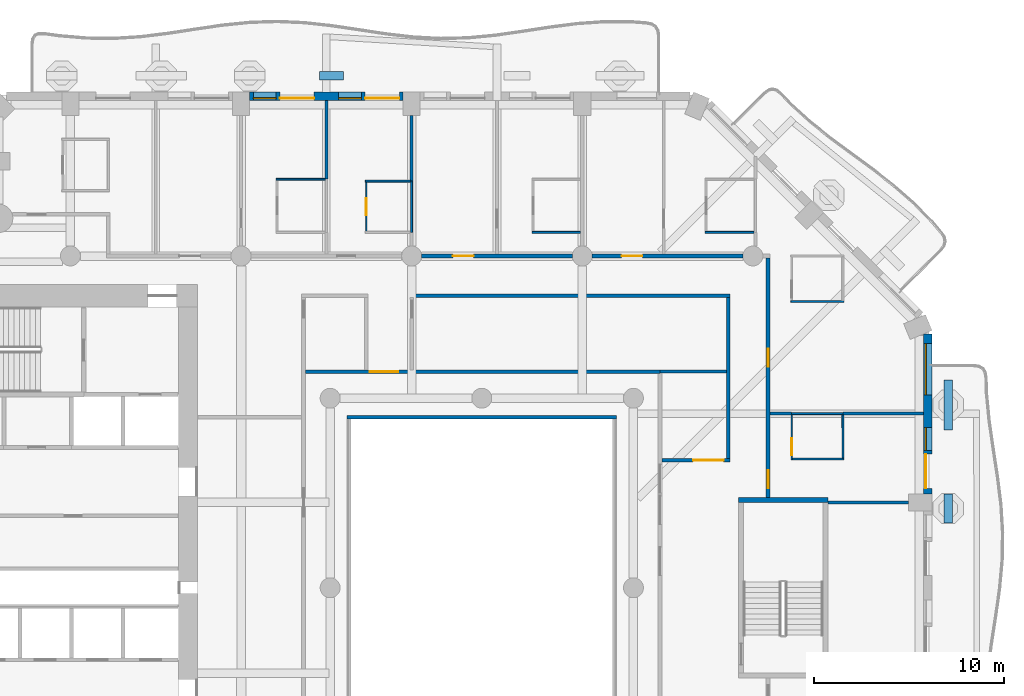
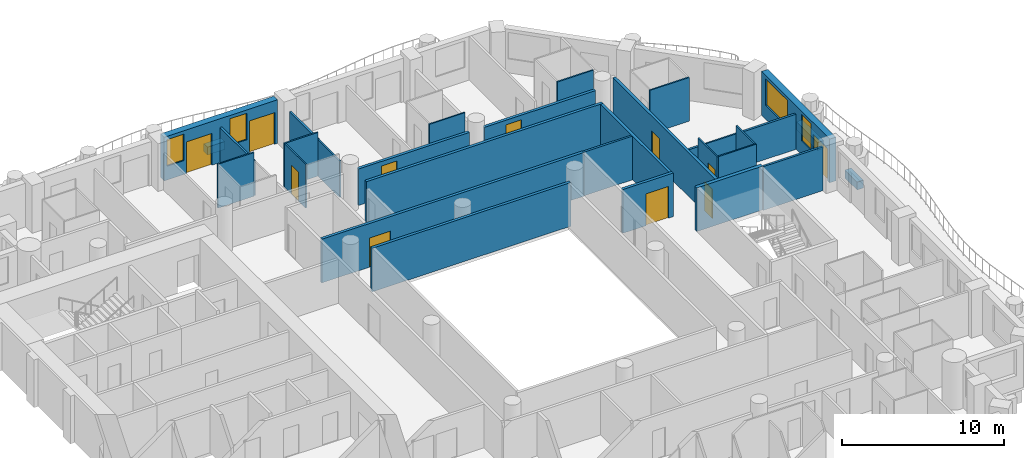
# One storey, part 9 of 20: 31 walls, 11 doors, 4 windows, 15 openings.
"""IFC4 building model written with IfcOpenShell, lengths in metres."""

from ifc_helpers import new_model, si_unit, direction, frame, frame_2d, origin, place, context, subcontext, project, spatial, rectangle, extrude, material, layer, layer_set, type_object, element, fill, save


model = new_model("IFC4")

# Units and contexts
model_context = context("Model", 3, precision=1e-05, world=origin(), true_north=direction((0.0, 1.0)))
body_context = subcontext(model_context, "Body", "Model", "MODEL_VIEW")
ifc_project = project(units=[si_unit("LENGTHUNIT", "METRE"), si_unit("AREAUNIT", "SQUARE_METRE"), si_unit("VOLUMEUNIT", "CUBIC_METRE"), si_unit("PLANEANGLEUNIT", "RADIAN"), si_unit("MASSUNIT", "GRAM", prefix="KILO")], contexts=[model_context])

# Site, building, storey
site_placement = place(None, origin())
site = spatial("IfcSite", under=ifc_project, at=site_placement, CompositionType="ELEMENT")
building_placement = place(site_placement, origin())
building = spatial("IfcBuilding", under=site, at=building_placement, Name="Cypress Arch Tower", CompositionType="ELEMENT")
storey_placement = place(building_placement, frame((0.0, 0.0, 116.699951171875)))
storey = spatial("IfcBuildingStorey", under=building, at=storey_placement, Name="L24", CompositionType="ELEMENT", Elevation=116.699951171875)

# Walls
ifc_material_1 = material(Name="Concrete C40/50, waterproofed", Category="concrete")
ifc_layer_1 = layer(ifc_material_1, 0.449951171875)
ifc_layer_set_1 = layer_set([ifc_layer_1], Name="Balcony planter wall PW450")
wall_type_1 = type_object("IfcWallType", Name="Balcony planter wall PW450", PredefinedType="SOLIDWALL", material=ifc_layer_set_1)
wall_1_placement = place(storey_placement, frame((25.60009765625, 3.42138671875, 0.0), z_axis=(0.0, 0.0, 1.0), x_axis=(0.0, 1.0, 0.0)))
element("IfcWall", 1, at=wall_1_placement, inside=storey, type_object=wall_type_1, Name="Balcony planter wall L24-A06.3", PredefinedType="SOLIDWALL", context=body_context, shape_type="SweptSolid", body=[
    extrude(rectangle(XDim=1.5224609375, YDim=0.449951171875, at=frame_2d((0.76123046875, 0.0))), origin(), (0.0, 0.0, 1.0), 0.60009765625),
])
wall_2_placement = place(storey_placement, frame((25.60009765625, 8.335693359375, 0.0), z_axis=(0.0, 0.0, 1.0), x_axis=(0.0, 1.0, 0.0)))
element("IfcWall", 2, at=wall_2_placement, inside=storey, type_object=wall_type_1, Name="Balcony planter wall L24-A06.4", PredefinedType="SOLIDWALL", context=body_context, shape_type="SweptSolid", body=[
    extrude(rectangle(XDim=2.6142578125, YDim=0.449951171875, at=frame_2d((1.30712890625, 0.0))), origin(), (0.0, 0.0, 1.0), 0.60009765625),
])
wall_3_placement = place(storey_placement, frame((-6.300048828125, 27.0, 0.0), z_axis=(0.0, 0.0, 1.0), x_axis=(-1.0, 0.0, 0.0)))
element("IfcWall", 3, at=wall_3_placement, inside=storey, type_object=wall_type_1, Name="Balcony planter wall L24-A08.3", PredefinedType="SOLIDWALL", context=body_context, shape_type="SweptSolid", body=[
    extrude(rectangle(XDim=1.25, YDim=0.449951171875, at=frame_2d((0.625, 0.0))), origin(), (0.0, 0.0, 1.0), 0.60009765625),
])

# Wall, openings, door, windows
ifc_material_2 = material(Name="Brick (red buff blend)", Category="masonry")
ifc_layer_2 = layer(ifc_material_2, 0.449951171875)
ifc_layer_set_2 = layer_set([ifc_layer_2], Name="Brick pier and spandrel wall BW450")
wall_type_2 = type_object("IfcWallType", Name="Brick pier and spandrel wall BW450", PredefinedType="SOLIDWALL", material=ifc_layer_set_2)
wall_4_placement = place(storey_placement, frame((24.52490234375, 4.949951171875, 0.0), z_axis=(0.0, 0.0, 1.0), x_axis=(0.0, 1.0, 0.0)))
wall_4 = element("IfcWall", 4, at=wall_4_placement, inside=storey, type_object=wall_type_2, Name="Brick wall L24 A06.3", PredefinedType="SOLIDWALL", context=body_context, shape_type="SweptSolid", body=[
    extrude(rectangle(XDim=8.438720703125, YDim=0.449951171875, at=frame_2d((4.21923828125, 0.0))), origin(), (0.0, 0.0, 1.0), 3.300048828125),
])
opening_1_placement = place(wall_4_placement, frame((0.2939453125, 0.0, 0.0)))
opening_1 = element("IfcOpeningElement", 5, at=opening_1_placement, cuts=wall_4, Name="Opening D-L24-A06.3.1", PredefinedType="OPENING", context=body_context, shape_type="SweptSolid", body=[
    extrude(rectangle(XDim=1.800048828125, YDim=2.39990234375, at=frame_2d((0.89990234375, 1.199951171875))), frame((0.0, 0.23486328125, 0.0), z_axis=(0.0, -1.0, 0.0), x_axis=(1.0, 0.0, 0.0)), (0.0, 0.0, 1.0), 0.469970703125),
])
opening_2_placement = place(wall_4_placement, frame((2.2939453125, 0.0, 1.050048828125)))
opening_2 = element("IfcOpeningElement", 6, at=opening_2_placement, cuts=wall_4, Name="Opening W120HD", PredefinedType="OPENING", context=body_context, shape_type="SweptSolid", body=[
    extrude(rectangle(XDim=1.199951171875, YDim=2.0, at=frame_2d((0.60009765625, 1.0))), frame((0.0, 0.23486328125, 0.0), z_axis=(0.0, -1.0, 0.0), x_axis=(1.0, 0.0, 0.0)), (0.0, 0.0, 1.0), 0.469970703125),
])
opening_3_placement = place(wall_4_placement, frame((5.231689453125, 0.0, 1.050048828125)))
opening_3 = element("IfcOpeningElement", 7, at=opening_3_placement, cuts=wall_4, Name="Opening W270HD", PredefinedType="OPENING", context=body_context, shape_type="SweptSolid", body=[
    extrude(rectangle(XDim=2.699951171875, YDim=2.0, at=frame_2d((1.35009765625, 1.0))), frame((0.0, 0.23486328125, 0.0), z_axis=(0.0, -1.0, 0.0), x_axis=(1.0, 0.0, 0.0)), (0.0, 0.0, 1.0), 0.469970703125),
])
ifc_material_3 = material(Name="Anodised aluminium, bronze finish, laminated low-emissivity double glazing, large-missile impact rated", Category="aluminium")
door_type_1 = type_object("IfcDoorType", Name="Balcony sliding door 1800x2400", OperationType="SLIDING_TO_LEFT", PredefinedType="DOOR", material=ifc_material_3)
door_1_placement = place(opening_1_placement, origin())
door_1 = element("IfcDoor", 8, at=door_1_placement, inside=storey, type_object=door_type_1, Name="Balcony door L24 A06.3.1", OperationType="SLIDING_TO_LEFT", OverallHeight=2.39990234375, OverallWidth=1.800048828125, PredefinedType="DOOR", context=body_context, shape_type="SweptSolid", body=[
    extrude(rectangle(XDim=1.800048828125, YDim=2.39990234375, at=frame_2d((0.89990234375, 1.199951171875))), frame((0.0, 0.1298828125, 0.0), z_axis=(0.0, -1.0, 0.0), x_axis=(1.0, 0.0, 0.0)), (0.0, 0.0, 1.0), 0.050048828125),
])
fill(opening_1, door_1)
ifc_material_4 = material(Name="Anodised aluminium, bronze finish, laminated low-emissivity double glazing, large-missile impact rated", Category="aluminium")
window_type_1 = type_object("IfcWindowType", Name="Window Hotel 1200x2000 debris-rated", PartitioningType="SINGLE_PANEL", PredefinedType="WINDOW", material=ifc_material_4)
window_1_placement = place(opening_2_placement, origin())
window_1 = element("IfcWindow", 9, at=window_1_placement, inside=storey, type_object=window_type_1, Name="Window L24 A06.3.1", OverallHeight=2.0, OverallWidth=1.199951171875, PartitioningType="SINGLE_PANEL", PredefinedType="WINDOW", context=body_context, shape_type="SweptSolid", body=[
    extrude(rectangle(XDim=1.199951171875, YDim=2.0, at=frame_2d((0.60009765625, 1.0))), frame((0.0, 0.135009765625, 0.0), z_axis=(0.0, -1.0, 0.0), x_axis=(1.0, 0.0, 0.0)), (0.0, 0.0, 1.0), 0.06005859375),
])
fill(opening_2, window_1)
ifc_material_5 = material(Name="Anodised aluminium, bronze finish, laminated low-emissivity double glazing, large-missile impact rated", Category="aluminium")
window_type_2 = type_object("IfcWindowType", Name="Window Hotel 2700x2000 debris-rated", PartitioningType="SINGLE_PANEL", PredefinedType="WINDOW", material=ifc_material_5)
window_2_placement = place(opening_3_placement, origin())
window_2 = element("IfcWindow", 10, at=window_2_placement, inside=storey, type_object=window_type_2, Name="Window L24 A06.3.2", OverallHeight=2.0, OverallWidth=2.699951171875, PartitioningType="SINGLE_PANEL", PredefinedType="WINDOW", context=body_context, shape_type="SweptSolid", body=[
    extrude(rectangle(XDim=2.699951171875, YDim=2.0, at=frame_2d((1.35009765625, 1.0))), frame((0.0, 0.135009765625, 0.0), z_axis=(0.0, -1.0, 0.0), x_axis=(1.0, 0.0, 0.0)), (0.0, 0.0, 1.0), 0.06005859375),
])
fill(opening_3, window_2)

# Wall, openings, doors, windows
wall_5_placement = place(storey_placement, frame((-3.14990234375, 25.925048828125, 0.0), z_axis=(0.0, 0.0, 1.0), x_axis=(-1.0, 0.0, 0.0)))
wall_5 = element("IfcWall", 11, at=wall_5_placement, inside=storey, type_object=wall_type_2, Name="Brick wall L24 A08.2", PredefinedType="SOLIDWALL", context=body_context, shape_type="SweptSolid", body=[
    extrude(rectangle(XDim=8.10009765625, YDim=0.449951171875, at=frame_2d((4.050048828125, 0.0))), origin(), (0.0, 0.0, 1.0), 3.300048828125),
])
opening_4_placement = place(wall_5_placement, frame((0.199951171875, 0.0, 0.0)))
opening_4 = element("IfcOpeningElement", 12, at=opening_4_placement, cuts=wall_5, Name="Opening D-L24-A08.2.1", PredefinedType="OPENING", context=body_context, shape_type="SweptSolid", body=[
    extrude(rectangle(XDim=1.800048828125, YDim=2.39990234375, at=frame_2d((0.89990234375, 1.199951171875))), frame((0.0, 0.23486328125, 0.0), z_axis=(0.0, -1.0, 0.0), x_axis=(1.0, 0.0, 0.0)), (0.0, 0.0, 1.0), 0.469970703125),
])
opening_5_placement = place(wall_5_placement, frame((2.199951171875, 0.0, 1.050048828125)))
opening_5 = element("IfcOpeningElement", 13, at=opening_5_placement, cuts=wall_5, Name="Opening W120HD", PredefinedType="OPENING", context=body_context, shape_type="SweptSolid", body=[
    extrude(rectangle(XDim=1.199951171875, YDim=2.0, at=frame_2d((0.60009765625, 1.0))), frame((0.0, 0.23486328125, 0.0), z_axis=(0.0, -1.0, 0.0), x_axis=(1.0, 0.0, 0.0)), (0.0, 0.0, 1.0), 0.469970703125),
])
opening_6_placement = place(wall_5_placement, frame((4.699951171875, 0.0, 0.0)))
opening_6 = element("IfcOpeningElement", 14, at=opening_6_placement, cuts=wall_5, Name="Opening D-L24-A08.2.2", PredefinedType="OPENING", context=body_context, shape_type="SweptSolid", body=[
    extrude(rectangle(XDim=1.800048828125, YDim=2.39990234375, at=frame_2d((0.89990234375, 1.199951171875))), frame((0.0, 0.23486328125, 0.0), z_axis=(0.0, -1.0, 0.0), x_axis=(1.0, 0.0, 0.0)), (0.0, 0.0, 1.0), 0.469970703125),
])
opening_7_placement = place(wall_5_placement, frame((6.699951171875, 0.0, 1.050048828125)))
opening_7 = element("IfcOpeningElement", 15, at=opening_7_placement, cuts=wall_5, Name="Opening W120HD", PredefinedType="OPENING", context=body_context, shape_type="SweptSolid", body=[
    extrude(rectangle(XDim=1.199951171875, YDim=2.0, at=frame_2d((0.60009765625, 1.0))), frame((0.0, 0.23486328125, 0.0), z_axis=(0.0, -1.0, 0.0), x_axis=(1.0, 0.0, 0.0)), (0.0, 0.0, 1.0), 0.469970703125),
])
door_2_placement = place(opening_4_placement, origin())
door_2 = element("IfcDoor", 16, at=door_2_placement, inside=storey, type_object=door_type_1, Name="Balcony door L24 A08.2.1", OperationType="SLIDING_TO_LEFT", OverallHeight=2.39990234375, OverallWidth=1.800048828125, PredefinedType="DOOR", context=body_context, shape_type="SweptSolid", body=[
    extrude(rectangle(XDim=1.800048828125, YDim=2.39990234375, at=frame_2d((0.89990234375, 1.199951171875))), frame((0.0, 0.1298828125, 0.0), z_axis=(0.0, -1.0, 0.0), x_axis=(1.0, 0.0, 0.0)), (0.0, 0.0, 1.0), 0.050048828125),
])
fill(opening_4, door_2)
door_3_placement = place(opening_6_placement, origin())
door_3 = element("IfcDoor", 17, at=door_3_placement, inside=storey, type_object=door_type_1, Name="Balcony door L24 A08.2.2", OperationType="SLIDING_TO_LEFT", OverallHeight=2.39990234375, OverallWidth=1.800048828125, PredefinedType="DOOR", context=body_context, shape_type="SweptSolid", body=[
    extrude(rectangle(XDim=1.800048828125, YDim=2.39990234375, at=frame_2d((0.89990234375, 1.199951171875))), frame((0.0, 0.1298828125, 0.0), z_axis=(0.0, -1.0, 0.0), x_axis=(1.0, 0.0, 0.0)), (0.0, 0.0, 1.0), 0.050048828125),
])
fill(opening_6, door_3)
window_3_placement = place(opening_5_placement, origin())
window_3 = element("IfcWindow", 18, at=window_3_placement, inside=storey, type_object=window_type_1, Name="Window L24 A08.2.1", OverallHeight=2.0, OverallWidth=1.199951171875, PartitioningType="SINGLE_PANEL", PredefinedType="WINDOW", context=body_context, shape_type="SweptSolid", body=[
    extrude(rectangle(XDim=1.199951171875, YDim=2.0, at=frame_2d((0.60009765625, 1.0))), frame((0.0, 0.135009765625, 0.0), z_axis=(0.0, -1.0, 0.0), x_axis=(1.0, 0.0, 0.0)), (0.0, 0.0, 1.0), 0.06005859375),
])
fill(opening_5, window_3)
window_4_placement = place(opening_7_placement, origin())
window_4 = element("IfcWindow", 19, at=window_4_placement, inside=storey, type_object=window_type_1, Name="Window L24 A08.2.2", OverallHeight=2.0, OverallWidth=1.199951171875, PartitioningType="SINGLE_PANEL", PredefinedType="WINDOW", context=body_context, shape_type="SweptSolid", body=[
    extrude(rectangle(XDim=1.199951171875, YDim=2.0, at=frame_2d((0.60009765625, 1.0))), frame((0.0, 0.135009765625, 0.0), z_axis=(0.0, -1.0, 0.0), x_axis=(1.0, 0.0, 0.0)), (0.0, 0.0, 1.0), 0.06005859375),
])
fill(opening_7, window_4)

# Wall, opening, door
ifc_material_6 = material(Name="Concrete blockwork, plastered, rated", Category="masonry")
ifc_layer_3 = layer(ifc_material_6, 0.199951171875)
ifc_layer_set_3 = layer_set([ifc_layer_3], Name="Corridor wall FW200")
wall_type_3 = type_object("IfcWallType", Name="Corridor wall FW200", PredefinedType="PARTITIONING", material=ifc_layer_set_3)
wall_6_placement = place(storey_placement, frame((-2.175048828125, 17.5, 0.0), z_axis=(0.0, 0.0, 1.0), x_axis=(1.0, 0.0, 0.0)))
wall_6 = element("IfcWall", 20, at=wall_6_placement, inside=storey, type_object=wall_type_3, Name="Corridor wall", PredefinedType="PARTITIONING", context=body_context, shape_type="SweptSolid", body=[
    extrude(rectangle(XDim=7.949951171875, YDim=0.199951171875, at=frame_2d((3.97509765625, 0.0))), origin(), (0.0, 0.0, 1.0), 2.75),
])
opening_8_placement = place(wall_6_placement, frame((1.64990234375, 0.0, 0.0)))
opening_8 = element("IfcOpeningElement", 21, at=opening_8_placement, cuts=wall_6, Name="Opening D01", PredefinedType="OPENING", context=body_context, shape_type="SweptSolid", body=[
    extrude(rectangle(XDim=1.10009765625, YDim=2.39990234375, at=frame_2d((0.550048828125, 1.199951171875))), frame((0.0, 0.10986328125, 0.0), z_axis=(0.0, -1.0, 0.0), x_axis=(1.0, 0.0, 0.0)), (0.0, 0.0, 1.0), 0.219970703125),
])
ifc_material_7 = material(Name="Timber flush door, fire resisting, self-closing", Category="wood")
door_type_2 = type_object("IfcDoorType", Name="Unit entrance door D01 1100x2400", OperationType="SINGLE_SWING_LEFT", PredefinedType="DOOR", material=ifc_material_7)
door_4_placement = place(opening_8_placement, origin())
door_4 = element("IfcDoor", 22, at=door_4_placement, inside=storey, type_object=door_type_2, Name="Unit entrance door", OperationType="SINGLE_SWING_RIGHT", OverallHeight=2.39990234375, OverallWidth=1.10009765625, PredefinedType="DOOR", context=body_context, shape_type="SweptSolid", body=[
    extrude(rectangle(XDim=1.10009765625, YDim=2.39990234375, at=frame_2d((0.550048828125, 1.199951171875))), frame((0.0, 0.02490234375, 0.0), z_axis=(0.0, -1.0, 0.0), x_axis=(1.0, 0.0, 0.0)), (0.0, 0.0, 1.0), 0.050048828125),
])
fill(opening_8, door_4)

wall_7_placement = place(storey_placement, frame((6.824951171875, 17.5, 0.0), z_axis=(0.0, 0.0, 1.0), x_axis=(1.0, 0.0, 0.0)))
wall_7 = element("IfcWall", 23, at=wall_7_placement, inside=storey, type_object=wall_type_3, Name="Corridor wall", PredefinedType="PARTITIONING", context=body_context, shape_type="SweptSolid", body=[
    extrude(rectangle(XDim=7.949951171875, YDim=0.199951171875, at=frame_2d((3.97509765625, 0.0))), origin(), (0.0, 0.0, 1.0), 2.75),
])
opening_9_placement = place(wall_7_placement, frame((1.550048828125, 0.0, 0.0)))
opening_9 = element("IfcOpeningElement", 24, at=opening_9_placement, cuts=wall_7, Name="Opening D01", PredefinedType="OPENING", context=body_context, shape_type="SweptSolid", body=[
    extrude(rectangle(XDim=1.10009765625, YDim=2.39990234375, at=frame_2d((0.550048828125, 1.199951171875))), frame((0.0, 0.10986328125, 0.0), z_axis=(0.0, -1.0, 0.0), x_axis=(1.0, 0.0, 0.0)), (0.0, 0.0, 1.0), 0.219970703125),
])
door_5_placement = place(opening_9_placement, origin())
door_5 = element("IfcDoor", 25, at=door_5_placement, inside=storey, type_object=door_type_2, Name="Unit entrance door", OperationType="SINGLE_SWING_RIGHT", OverallHeight=2.39990234375, OverallWidth=1.10009765625, PredefinedType="DOOR", context=body_context, shape_type="SweptSolid", body=[
    extrude(rectangle(XDim=1.10009765625, YDim=2.39990234375, at=frame_2d((0.550048828125, 1.199951171875))), frame((0.0, 0.02490234375, 0.0), z_axis=(0.0, -1.0, 0.0), x_axis=(1.0, 0.0, 0.0)), (0.0, 0.0, 1.0), 0.050048828125),
])
fill(opening_9, door_5)

wall_8_placement = place(storey_placement, frame((-8.300048828125, 11.39990234375, 0.0), z_axis=(0.0, 0.0, 1.0), x_axis=(1.0, 0.0, 0.0)))
wall_8 = element("IfcWall", 26, at=wall_8_placement, inside=storey, type_object=wall_type_3, Name="Corridor wall", PredefinedType="PARTITIONING", context=body_context, shape_type="SweptSolid", body=[
    extrude(rectangle(XDim=18.699951171875, YDim=0.199951171875, at=frame_2d((9.35009765625, 0.0))), origin(), (0.0, 0.0, 1.0), 3.300048828125),
])
opening_10_placement = place(wall_8_placement, frame((3.39990234375, 0.0, 0.0)))
opening_10 = element("IfcOpeningElement", 27, at=opening_10_placement, cuts=wall_8, Name="Opening D04", PredefinedType="OPENING", context=body_context, shape_type="SweptSolid", body=[
    extrude(rectangle(XDim=1.5, YDim=2.199951171875, at=frame_2d((0.75, 1.10009765625))), frame((0.0, 0.10986328125, 0.0), z_axis=(0.0, -1.0, 0.0), x_axis=(1.0, 0.0, 0.0)), (0.0, 0.0, 1.0), 0.219970703125),
])
ifc_material_8 = material(Name="Timber double door", Category="wood")
door_type_3 = type_object("IfcDoorType", Name="Double door D04 1500x2200", OperationType="DOUBLE_DOOR_SINGLE_SWING", PredefinedType="DOOR", material=ifc_material_8)
door_6_placement = place(opening_10_placement, origin())
door_6 = element("IfcDoor", 28, at=door_6_placement, inside=storey, type_object=door_type_3, Name="Double door", OperationType="DOUBLE_DOOR_SINGLE_SWING", OverallHeight=2.199951171875, OverallWidth=1.5, PredefinedType="DOOR", context=body_context, shape_type="SweptSolid", body=[
    extrude(rectangle(XDim=1.5, YDim=2.199951171875, at=frame_2d((0.75, 1.10009765625))), frame((0.0, 0.02490234375, 0.0), z_axis=(0.0, -1.0, 0.0), x_axis=(1.0, 0.0, 0.0)), (0.0, 0.0, 1.0), 0.050048828125),
])
fill(opening_10, door_6)

# Walls
wall_9_placement = place(storey_placement, frame((-6.10009765625, 9.0, 0.0), z_axis=(0.0, 0.0, 1.0), x_axis=(1.0, 0.0, 0.0)))
element("IfcWall", 29, at=wall_9_placement, inside=storey, type_object=wall_type_3, Name="Corridor wall", PredefinedType="PARTITIONING", context=body_context, shape_type="SweptSolid", body=[
    extrude(rectangle(XDim=14.2001953125, YDim=0.199951171875, at=frame_2d((7.10009765625, 0.0))), origin(), (0.0, 0.0, 1.0), 3.300048828125),
])
wall_10_placement = place(storey_placement, frame((-2.800048828125, 15.39990234375, 0.0), z_axis=(0.0, 0.0, 1.0), x_axis=(1.0, 0.0, 0.0)))
element("IfcWall", 30, at=wall_10_placement, inside=storey, type_object=wall_type_3, Name="Corridor wall", PredefinedType="PARTITIONING", context=body_context, shape_type="SweptSolid", body=[
    extrude(rectangle(XDim=16.900146484375, YDim=0.199951171875, at=frame_2d((8.4501953125, 0.0))), origin(), (0.0, 0.0, 1.0), 3.300048828125),
])

# Wall, opening, door
wall_11_placement = place(storey_placement, frame((10.5, 6.72509765625, 0.0), z_axis=(0.0, 0.0, 1.0), x_axis=(1.0, 0.0, 0.0)))
wall_11 = element("IfcWall", 31, at=wall_11_placement, inside=storey, type_object=wall_type_3, Name="Corridor wall", PredefinedType="PARTITIONING", context=body_context, shape_type="SweptSolid", body=[
    extrude(rectangle(XDim=3.60009765625, YDim=0.199951171875, at=frame_2d((1.800048828125, 0.0))), origin(), (0.0, 0.0, 1.0), 3.300048828125),
])
opening_11_placement = place(wall_11_placement, frame((1.64990234375, 0.0, 0.0)))
opening_11 = element("IfcOpeningElement", 32, at=opening_11_placement, cuts=wall_11, Name="Opening D10", PredefinedType="OPENING", context=body_context, shape_type="SweptSolid", body=[
    extrude(rectangle(XDim=1.60009765625, YDim=2.39990234375, at=frame_2d((0.800048828125, 1.199951171875))), frame((0.0, 0.10986328125, 0.0), z_axis=(0.0, -1.0, 0.0), x_axis=(1.0, 0.0, 0.0)), (0.0, 0.0, 1.0), 0.219970703125),
])
ifc_material_9 = material(Name="Black aluminium glazed door", Category="aluminium")
door_type_4 = type_object("IfcDoorType", Name="Amenity door D10 1600x2400", OperationType="DOUBLE_DOOR_SINGLE_SWING", PredefinedType="DOOR", material=ifc_material_9)
door_7_placement = place(opening_11_placement, origin())
door_7 = element("IfcDoor", 33, at=door_7_placement, inside=storey, type_object=door_type_4, Name="Amenity door", OperationType="DOUBLE_DOOR_SINGLE_SWING", OverallHeight=2.39990234375, OverallWidth=1.60009765625, PredefinedType="DOOR", context=body_context, shape_type="SweptSolid", body=[
    extrude(rectangle(XDim=1.60009765625, YDim=2.39990234375, at=frame_2d((0.800048828125, 1.199951171875))), frame((0.0, 0.02490234375, 0.0), z_axis=(0.0, -1.0, 0.0), x_axis=(1.0, 0.0, 0.0)), (0.0, 0.0, 1.0), 0.050048828125),
])
fill(opening_11, door_7)

# Wall
wall_12_placement = place(storey_placement, frame((14.0, 6.824951171875, 0.0), z_axis=(0.0, 0.0, 1.0), x_axis=(0.0, 1.0, 0.0)))
element("IfcWall", 34, at=wall_12_placement, inside=storey, type_object=wall_type_3, Name="Corridor wall", PredefinedType="PARTITIONING", context=body_context, shape_type="SweptSolid", body=[
    extrude(rectangle(XDim=8.47509765625, YDim=0.199951171875, at=frame_2d((4.237548828125, 0.0))), origin(), (0.0, 0.0, 1.0), 3.300048828125),
])

# Wall, openings, doors
wall_13_placement = place(storey_placement, frame((16.10009765625, 4.75, 0.0), z_axis=(0.0, 0.0, 1.0), x_axis=(0.0, 1.0, 0.0)))
wall_13 = element("IfcWall", 35, at=wall_13_placement, inside=storey, type_object=wall_type_3, Name="Corridor wall", PredefinedType="PARTITIONING", context=body_context, shape_type="SweptSolid", body=[
    extrude(rectangle(XDim=12.64990234375, YDim=0.199951171875, at=frame_2d((6.324951171875, 0.0))), origin(), (0.0, 0.0, 1.0), 3.300048828125),
])
opening_12_placement = place(wall_13_placement, frame((0.5, 0.0, 0.0)))
opening_12 = element("IfcOpeningElement", 36, at=opening_12_placement, cuts=wall_13, Name="Opening D02", PredefinedType="OPENING", context=body_context, shape_type="SweptSolid", body=[
    extrude(rectangle(XDim=0.949951171875, YDim=2.199951171875, at=frame_2d((0.47509765625, 1.10009765625))), frame((0.0, 0.10986328125, 0.0), z_axis=(0.0, -1.0, 0.0), x_axis=(1.0, 0.0, 0.0)), (0.0, 0.0, 1.0), 0.219970703125),
])
opening_13_placement = place(wall_13_placement, frame((6.89990234375, 0.0, 0.0)))
opening_13 = element("IfcOpeningElement", 37, at=opening_13_placement, cuts=wall_13, Name="Opening D02", PredefinedType="OPENING", context=body_context, shape_type="SweptSolid", body=[
    extrude(rectangle(XDim=0.949951171875, YDim=2.199951171875, at=frame_2d((0.47509765625, 1.10009765625))), frame((0.0, 0.10986328125, 0.0), z_axis=(0.0, -1.0, 0.0), x_axis=(1.0, 0.0, 0.0)), (0.0, 0.0, 1.0), 0.219970703125),
])
ifc_material_10 = material(Name="Timber flush door, fire resisting", Category="wood")
door_type_5 = type_object("IfcDoorType", Name="Room door D02 950x2200", OperationType="SINGLE_SWING_LEFT", PredefinedType="DOOR", material=ifc_material_10)
door_8_placement = place(opening_12_placement, origin())
door_8 = element("IfcDoor", 38, at=door_8_placement, inside=storey, type_object=door_type_5, Name="Room door", OperationType="SINGLE_SWING_RIGHT", OverallHeight=2.199951171875, OverallWidth=0.949951171875, PredefinedType="DOOR", context=body_context, shape_type="SweptSolid", body=[
    extrude(rectangle(XDim=0.949951171875, YDim=2.199951171875, at=frame_2d((0.47509765625, 1.10009765625))), frame((0.0, 0.02490234375, 0.0), z_axis=(0.0, -1.0, 0.0), x_axis=(1.0, 0.0, 0.0)), (0.0, 0.0, 1.0), 0.050048828125),
])
fill(opening_12, door_8)
door_9_placement = place(opening_13_placement, origin())
door_9 = element("IfcDoor", 39, at=door_9_placement, inside=storey, type_object=door_type_5, Name="Room door", OperationType="SINGLE_SWING_RIGHT", OverallHeight=2.199951171875, OverallWidth=0.949951171875, PredefinedType="DOOR", context=body_context, shape_type="SweptSolid", body=[
    extrude(rectangle(XDim=0.949951171875, YDim=2.199951171875, at=frame_2d((0.47509765625, 1.10009765625))), frame((0.0, 0.02490234375, 0.0), z_axis=(0.0, -1.0, 0.0), x_axis=(1.0, 0.0, 0.0)), (0.0, 0.0, 1.0), 0.050048828125),
])
fill(opening_13, door_9)

# Walls
ifc_material_11 = material(Name="Blockwork, plastered both sides", Category="masonry")
ifc_layer_4 = layer(ifc_material_11, 0.14990234375)
ifc_layer_set_4 = layer_set([ifc_layer_4], Name="Partition PW150")
wall_type_4 = type_object("IfcWallType", Name="Partition PW150", PredefinedType="PARTITIONING", material=ifc_layer_set_4)
wall_14_placement = place(storey_placement, frame((-7.199951171875, 21.550048828125, 0.0), z_axis=(0.0, 0.0, 1.0), x_axis=(0.0, 1.0, 0.0)))
element("IfcWall", 40, at=wall_14_placement, inside=storey, type_object=wall_type_4, Name="Partition", PredefinedType="PARTITIONING", context=body_context, shape_type="SweptSolid", body=[
    extrude(rectangle(XDim=4.14990234375, YDim=0.14990234375, at=frame_2d((2.074951171875, 0.0))), origin(), (0.0, 0.0, 1.0), 2.650146484375),
])
wall_15_placement = place(storey_placement, frame((-2.699951171875, 21.449951171875, 0.0), z_axis=(0.0, 0.0, 1.0), x_axis=(0.0, 1.0, 0.0)))
element("IfcWall", 41, at=wall_15_placement, inside=storey, type_object=wall_type_4, Name="Partition", PredefinedType="PARTITIONING", context=body_context, shape_type="SweptSolid", body=[
    extrude(rectangle(XDim=3.449951171875, YDim=0.14990234375, at=frame_2d((1.72509765625, 0.0))), origin(), (0.0, 0.0, 1.0), 2.75),
])
wall_16_placement = place(storey_placement, frame((10.39990234375, 11.39990234375, 0.0), z_axis=(0.0, 0.0, 1.0), x_axis=(1.0, 0.0, 0.0)))
element("IfcWall", 42, at=wall_16_placement, inside=storey, type_object=wall_type_4, Name="Partition", PredefinedType="PARTITIONING", context=body_context, shape_type="SweptSolid", body=[
    extrude(rectangle(XDim=3.5, YDim=0.14990234375, at=frame_2d((1.75, 0.0))), origin(), (0.0, 0.0, 1.0), 3.300048828125),
])
wall_17_placement = place(storey_placement, frame((16.199951171875, 9.18994140625, 0.0), z_axis=(0.0, 0.0, 1.0), x_axis=(1.0, 0.0, 0.0)))
element("IfcWall", 43, at=wall_17_placement, inside=storey, type_object=wall_type_4, Name="Partition", PredefinedType="PARTITIONING", context=body_context, shape_type="SweptSolid", body=[
    extrude(rectangle(XDim=1.130126953125, YDim=0.14990234375, at=frame_2d((0.56494140625, 0.0))), origin(), (0.0, 0.0, 1.0), 2.650146484375),
])
wall_18_placement = place(storey_placement, frame((19.25, 4.5, 0.0), z_axis=(0.0, 0.0, 1.0), x_axis=(1.0, 0.0, 0.0)))
element("IfcWall", 44, at=wall_18_placement, inside=storey, type_object=wall_type_4, Name="Partition", PredefinedType="PARTITIONING", context=body_context, shape_type="SweptSolid", body=[
    extrude(rectangle(XDim=4.25, YDim=0.14990234375, at=frame_2d((2.125, 0.0))), origin(), (0.0, 0.0, 1.0), 3.300048828125),
])
wall_19_placement = place(storey_placement, frame((20.050048828125, 9.18994140625, 0.0), z_axis=(0.0, 0.0, 1.0), x_axis=(1.0, 0.0, 0.0)))
element("IfcWall", 45, at=wall_19_placement, inside=storey, type_object=wall_type_4, Name="Partition", PredefinedType="PARTITIONING", context=body_context, shape_type="SweptSolid", body=[
    extrude(rectangle(XDim=4.25, YDim=0.14990234375, at=frame_2d((2.125, 0.0))), origin(), (0.0, 0.0, 1.0), 2.650146484375),
])
ifc_material_12 = material(Name="Concrete C50/60", Category="concrete")
ifc_layer_5 = layer(ifc_material_12, 0.25)
ifc_layer_set_5 = layer_set([ifc_layer_5], Name="Stair enclosure wall SW250")
wall_type_5 = type_object("IfcWallType", Name="Stair enclosure wall SW250", PredefinedType="SHEAR", material=ifc_layer_set_5)
wall_20_placement = place(storey_placement, frame((14.550048828125, 4.625, 0.0), z_axis=(0.0, 0.0, 1.0), x_axis=(1.0, 0.0, 0.0)))
element("IfcWall", 46, at=wall_20_placement, inside=storey, type_object=wall_type_5, Name="Stair enclosure wall", PredefinedType="SHEAR", context=body_context, shape_type="SweptSolid", body=[
    extrude(rectangle(XDim=4.699951171875, YDim=0.25, at=frame_2d((2.35009765625, 0.0))), origin(), (0.0, 0.0, 1.0), 3.300048828125),
])
ifc_material_13 = material(Name="Moisture resistant board on steel studs, tiled", Category="steel")
ifc_layer_6 = layer(ifc_material_13, 0.10009765625)
ifc_layer_set_6 = layer_set([ifc_layer_6], Name="Wet wall PW100")
wall_type_6 = type_object("IfcWallType", Name="Wet wall PW100", PredefinedType="PARTITIONING", material=ifc_layer_set_6)
wall_21_placement = place(storey_placement, frame((-9.845947265625, 21.550048828125, 0.0), z_axis=(0.0, 0.0, 1.0), x_axis=(1.0, 0.0, 0.0)))
element("IfcWall", 47, at=wall_21_placement, inside=storey, type_object=wall_type_6, Name="Wet wall", PredefinedType="PARTITIONING", context=body_context, shape_type="SweptSolid", body=[
    extrude(rectangle(XDim=2.595947265625, YDim=0.10009765625, at=frame_2d((1.2978515625, 0.0))), origin(), (0.0, 0.0, 1.0), 3.300048828125),
])

# Wall, opening, door
wall_22_placement = place(storey_placement, frame((-5.095947265625, 18.800048828125, 0.0), z_axis=(0.0, 0.0, 1.0), x_axis=(0.0, 1.0, 0.0)))
wall_22 = element("IfcWall", 48, at=wall_22_placement, inside=storey, type_object=wall_type_6, Name="Wet wall", PredefinedType="PARTITIONING", context=body_context, shape_type="SweptSolid", body=[
    extrude(rectangle(XDim=2.599853515625, YDim=0.10009765625, at=frame_2d((1.2998046875, 0.0))), origin(), (0.0, 0.0, 1.0), 3.300048828125),
])
opening_14_placement = place(wall_22_placement, frame((0.85009765625, 0.0, 0.0)))
opening_14 = element("IfcOpeningElement", 49, at=opening_14_placement, cuts=wall_22, Name="Opening D03", PredefinedType="OPENING", context=body_context, shape_type="SweptSolid", body=[
    extrude(rectangle(XDim=0.89990234375, YDim=2.199951171875, at=frame_2d((0.449951171875, 1.10009765625))), frame((0.0, 0.06005859375, 0.0), z_axis=(0.0, -1.0, 0.0), x_axis=(1.0, 0.0, 0.0)), (0.0, 0.0, 1.0), 0.1201171875),
])
ifc_material_14 = material(Name="Timber flush door, moisture resistant", Category="wood")
door_type_6 = type_object("IfcDoorType", Name="Bathroom door D03 900x2200", OperationType="SINGLE_SWING_LEFT", PredefinedType="DOOR", material=ifc_material_14)
door_10_placement = place(opening_14_placement, origin())
door_10 = element("IfcDoor", 50, at=door_10_placement, inside=storey, type_object=door_type_6, Name="Bathroom door", OperationType="SINGLE_SWING_RIGHT", OverallHeight=2.199951171875, OverallWidth=0.89990234375, PredefinedType="DOOR", context=body_context, shape_type="SweptSolid", body=[
    extrude(rectangle(XDim=0.89990234375, YDim=2.199951171875, at=frame_2d((0.449951171875, 1.10009765625))), frame((0.0, 0.02490234375, 0.0), z_axis=(0.0, -1.0, 0.0), x_axis=(1.0, 0.0, 0.0)), (0.0, 0.0, 1.0), 0.050048828125),
])
fill(opening_14, door_10)

# Walls
wall_23_placement = place(storey_placement, frame((-5.14599609375, 21.449951171875, 0.0), z_axis=(0.0, 0.0, 1.0), x_axis=(1.0, 0.0, 0.0)))
element("IfcWall", 51, at=wall_23_placement, inside=storey, type_object=wall_type_6, Name="Wet wall", PredefinedType="PARTITIONING", context=body_context, shape_type="SweptSolid", body=[
    extrude(rectangle(XDim=2.39599609375, YDim=0.10009765625, at=frame_2d((1.197998046875, 0.0))), origin(), (0.0, 0.0, 1.0), 3.300048828125),
])
wall_24_placement = place(storey_placement, frame((-2.699951171875, 18.72998046875, 0.0), z_axis=(0.0, 0.0, 1.0), x_axis=(0.0, 1.0, 0.0)))
element("IfcWall", 52, at=wall_24_placement, inside=storey, type_object=wall_type_6, Name="Wet wall", PredefinedType="PARTITIONING", context=body_context, shape_type="SweptSolid", body=[
    extrude(rectangle(XDim=2.719970703125, YDim=0.10009765625, at=frame_2d((1.35986328125, 0.0))), origin(), (0.0, 0.0, 1.0), 2.75),
])
wall_25_placement = place(storey_placement, frame((3.654052734375, 18.75, 0.0), z_axis=(0.0, 0.0, 1.0), x_axis=(1.0, 0.0, 0.0)))
element("IfcWall", 53, at=wall_25_placement, inside=storey, type_object=wall_type_6, Name="Wet wall", PredefinedType="PARTITIONING", context=body_context, shape_type="SweptSolid", body=[
    extrude(rectangle(XDim=2.5458984375, YDim=0.10009765625, at=frame_2d((1.27294921875, 0.0))), origin(), (0.0, 0.0, 1.0), 3.300048828125),
])
wall_26_placement = place(storey_placement, frame((12.785888671875, 18.75, 0.0), z_axis=(0.0, 0.0, 1.0), x_axis=(1.0, 0.0, 0.0)))
element("IfcWall", 54, at=wall_26_placement, inside=storey, type_object=wall_type_6, Name="Wet wall", PredefinedType="PARTITIONING", context=body_context, shape_type="SweptSolid", body=[
    extrude(rectangle(XDim=2.571044921875, YDim=0.10009765625, at=frame_2d((1.28564453125, 0.0))), origin(), (0.0, 0.0, 1.0), 3.300048828125),
])
wall_27_placement = place(storey_placement, frame((17.330078125, 9.18994140625, 0.0), z_axis=(0.0, 0.0, 1.0), x_axis=(1.0, 0.0, 0.0)))
element("IfcWall", 55, at=wall_27_placement, inside=storey, type_object=wall_type_6, Name="Wet wall", PredefinedType="PARTITIONING", context=body_context, shape_type="SweptSolid", body=[
    extrude(rectangle(XDim=2.719970703125, YDim=0.10009765625, at=frame_2d((1.35986328125, 0.0))), origin(), (0.0, 0.0, 1.0), 2.650146484375),
])

# Wall, opening, door
wall_28_placement = place(storey_placement, frame((17.35009765625, 9.139892578125, 0.0), z_axis=(0.0, 0.0, 1.0), x_axis=(0.000407580973, -0.999999916939, 0.0)))
wall_28 = element("IfcWall", 56, at=wall_28_placement, inside=storey, type_object=wall_type_6, Name="Wet wall", PredefinedType="PARTITIONING", context=body_context, shape_type="SweptSolid", body=[
    extrude(rectangle(XDim=2.39599609375, YDim=0.10009765625, at=frame_2d((1.197998046875, 0.0))), origin(), (0.0, 0.0, 1.0), 3.300048828125),
])
opening_15_placement = place(wall_28_placement, frame((1.25, 0.0, 0.0)))
opening_15 = element("IfcOpeningElement", 57, at=opening_15_placement, cuts=wall_28, Name="Opening D03", PredefinedType="OPENING", context=body_context, shape_type="SweptSolid", body=[
    extrude(rectangle(XDim=0.89990234375, YDim=2.199951171875, at=frame_2d((0.449951171875, 1.10009765625))), frame((0.0, 0.06005859375, 0.0), z_axis=(0.0, -1.0, 0.0), x_axis=(1.0, 0.0, 0.0)), (0.0, 0.0, 1.0), 0.1201171875),
])
door_11_placement = place(opening_15_placement, origin())
door_11 = element("IfcDoor", 58, at=door_11_placement, inside=storey, type_object=door_type_6, Name="Bathroom door", OperationType="SINGLE_SWING_RIGHT", OverallHeight=2.199951171875, OverallWidth=0.89990234375, PredefinedType="DOOR", context=body_context, shape_type="SweptSolid", body=[
    extrude(rectangle(XDim=0.89990234375, YDim=2.199951171875, at=frame_2d((0.449951171875, 1.10009765625))), frame((0.0, 0.02490234375, 0.0), z_axis=(0.0, -1.0, 0.0), x_axis=(1.0, 0.0, 0.0)), (0.0, 0.0, 1.0), 0.050048828125),
])
fill(opening_15, door_11)

# Walls
wall_29_placement = place(storey_placement, frame((17.300048828125, 15.10009765625, 0.0), z_axis=(0.0, 0.0, 1.0), x_axis=(1.0, 0.0, 0.0)))
element("IfcWall", 59, at=wall_29_placement, inside=storey, type_object=wall_type_6, Name="Wet wall", PredefinedType="PARTITIONING", context=body_context, shape_type="SweptSolid", body=[
    extrude(rectangle(XDim=2.800048828125, YDim=0.10009765625, at=frame_2d((1.39990234375, 0.0))), origin(), (0.0, 0.0, 1.0), 3.300048828125),
])
wall_30_placement = place(storey_placement, frame((17.40087890625, 6.7939453125, 0.0), z_axis=(0.0, 0.0, 1.0), x_axis=(0.9999999346, 0.000361663629, 0.0)))
element("IfcWall", 60, at=wall_30_placement, inside=storey, type_object=wall_type_6, Name="Wet wall", PredefinedType="PARTITIONING", context=body_context, shape_type="SweptSolid", body=[
    extrude(rectangle(XDim=2.7001953125, YDim=0.10009765625, at=frame_2d((1.35009765625, 0.0))), origin(), (0.0, 0.0, 1.0), 3.300048828125),
])
wall_31_placement = place(storey_placement, frame((20.050048828125, 9.114990234375, 0.0), z_axis=(0.0, 0.0, 1.0), x_axis=(0.000430200003, -0.999999907464, 0.0)))
element("IfcWall", 61, at=wall_31_placement, inside=storey, type_object=wall_type_6, Name="Wet wall", PredefinedType="PARTITIONING", context=body_context, shape_type="SweptSolid", body=[
    extrude(rectangle(XDim=2.27001953125, YDim=0.10009765625, at=frame_2d((1.135009765625, 0.0))), origin(), (0.0, 0.0, 1.0), 3.300048828125),
])

save(model, "model.ifc")
